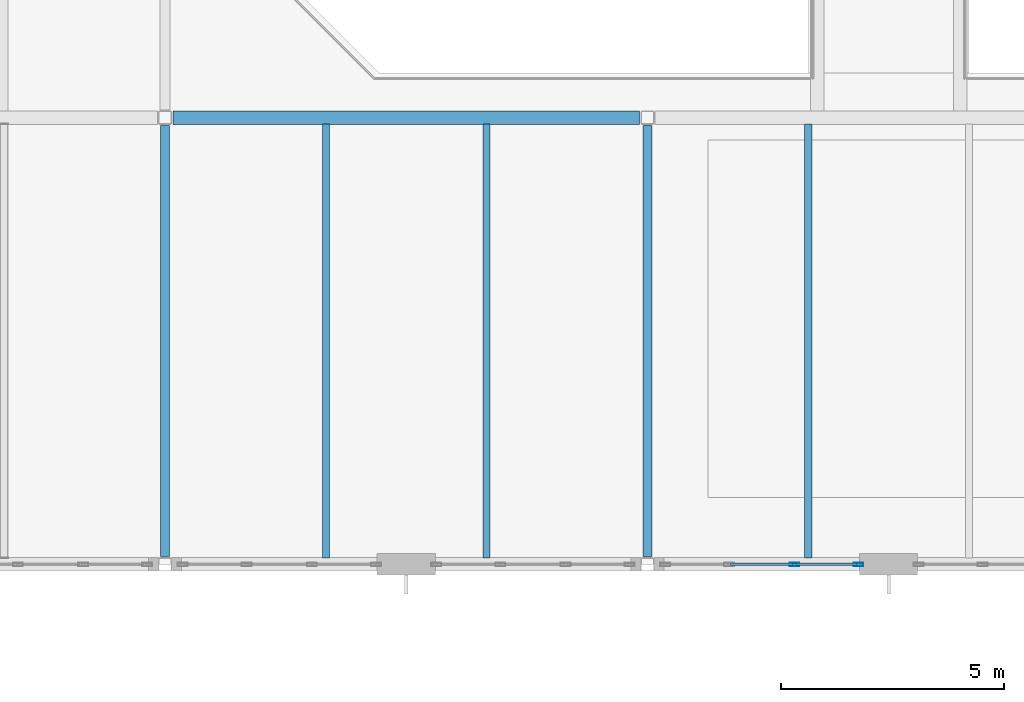
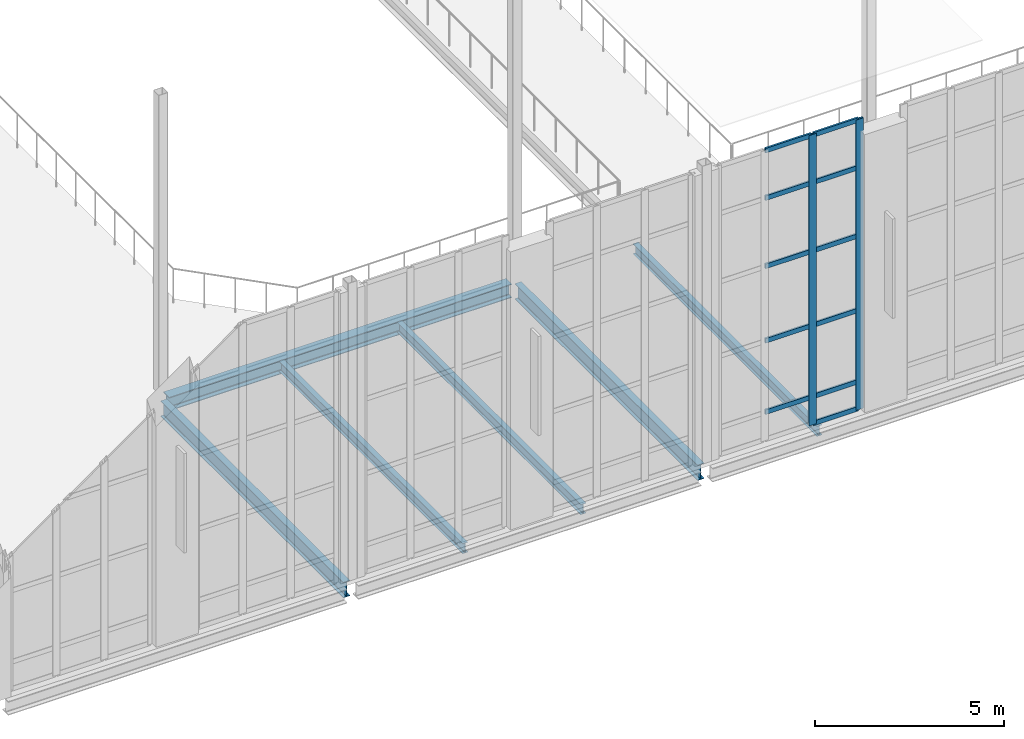
# One storey, part 29 of 100: 13 members, 6 beams, 1 element without a shape of its own.
"""IFC4 building model written with IfcOpenShell, lengths in metres."""

from ifc_helpers import new_model, si_unit, direction, frame, origin, origin_2d, place, context, subcontext, project, spatial, hollow_rectangle, i_section, extrude, material, layer, layer_set, material_profile, profile_set, type_object, element, aggregate, save


model = new_model("IFC4")

# Units and contexts
model_context = context("Model", 3, precision=1e-05, world=origin(), true_north=direction((0.0, 1.0)))
body_context = subcontext(model_context, "Body", "Model", "MODEL_VIEW")
ifc_project = project(units=[si_unit("LENGTHUNIT", "METRE"), si_unit("AREAUNIT", "SQUARE_METRE"), si_unit("VOLUMEUNIT", "CUBIC_METRE"), si_unit("PLANEANGLEUNIT", "RADIAN"), si_unit("MASSUNIT", "GRAM", prefix="KILO")], contexts=[model_context])

# Site, building, storey
site_placement = place(None, origin())
site = spatial("IfcSite", under=ifc_project, at=site_placement, CompositionType="ELEMENT")
building_placement = place(site_placement, origin())
building = spatial("IfcBuilding", under=site, at=building_placement, Name="Tasgan Crest Museum", CompositionType="ELEMENT")
storey_placement = place(building_placement, frame((0.0, 0.0, 14.39990234375)))
storey = spatial("IfcBuildingStorey", under=building, at=storey_placement, Name="L03", CompositionType="ELEMENT", Elevation=14.39990234375)

# Beams
ifc_material_1 = material(Name="Steel S355J2", Category="steel")
ifc_material_profile_1 = material_profile(ifc_material_1, i_section(OverallWidth=0.300048828125, OverallDepth=0.43994140625, WebThickness=0.011474609375, FlangeThickness=0.02099609375, FilletRadius=0.027099609375, at=origin_2d()), Name="HEA 450")
ifc_profile_set_1 = profile_set([ifc_material_profile_1], Name="Steel S355J2")
beam_type_1 = type_object("IfcBeamType", Name="BM-G-HEA450", PredefinedType="BEAM", material=ifc_profile_set_1)
beam_placement = place(storey_placement, frame((64.973876953125, 50.0, -0.4599609375), z_axis=(1.0, 0.0, 0.0), x_axis=(0.0, 1.0, 0.0)))
element("IfcBeam", 1, at=beam_placement, inside=storey, type_object=beam_type_1, Name="Girder L03 F 64.8-75.6", PredefinedType="BEAM", context=body_context, shape_type="SweptSolid", body=[
    extrude(i_section(OverallWidth=0.300048828125, OverallDepth=0.43994140625, WebThickness=0.011474609375, FlangeThickness=0.02099609375, FilletRadius=0.027099609375, at=origin_2d()), origin(), (0.0, 0.0, 1.0), 10.452392578125),
])
ifc_material_2 = material(Name="Steel S355J2", Category="steel")
ifc_material_profile_2 = material_profile(ifc_material_2, i_section(OverallWidth=0.199951171875, OverallDepth=0.5, WebThickness=0.01025390625, FlangeThickness=0.01611328125, FilletRadius=0.02099609375, at=origin_2d()), Name="IPE 500")
ifc_profile_set_2 = profile_set([ifc_material_profile_2], Name="Steel S355J2")
beam_type_2 = type_object("IfcBeamType", Name="BM-G-IPE500", PredefinedType="BEAM", material=ifc_profile_set_2)
for number, where, z_axis, x_axis, name in (
    (2, (64.800048828125, 40.1728515625, -0.489990234375), (0.0, 1.0, 0.0), (-1.0, 0.0, 0.0), "Beam L03 7 40.0-50.0"),
    (3, (75.60009765625, 40.1728515625, -0.489990234375), (0.0, 1.0, 0.0), (-1.0, 0.0, 0.0), "Beam L03 8 40.0-50.0"),
):
    element("IfcBeam", number, at=place(storey_placement, frame(where, z_axis=z_axis, x_axis=x_axis)), inside=storey, type_object=beam_type_2, Name=name, PredefinedType="BEAM", context=body_context, shape_type="SweptSolid", body=[
        extrude(i_section(OverallWidth=0.199951171875, OverallDepth=0.5, WebThickness=0.01025390625, FlangeThickness=0.01611328125, FilletRadius=0.02099609375, at=origin_2d()), origin(), (0.0, 0.0, 1.0), 9.654296875),
    ])
ifc_material_3 = material(Name="Steel S355J2", Category="steel")
ifc_material_profile_3 = material_profile(ifc_material_3, i_section(OverallWidth=0.159912109375, OverallDepth=0.330078125, WebThickness=0.007568359375, FlangeThickness=0.011474609375, FilletRadius=0.01806640625, at=origin_2d()), Name="IPE 330")
ifc_profile_set_3 = profile_set([ifc_material_profile_3], Name="Steel S355J2")
beam_type_3 = type_object("IfcBeamType", Name="BM-J-IPE330", PredefinedType="JOIST", material=ifc_profile_set_3)
for number, where, z_axis, x_axis, name in (
    (4, (68.39990234375, 40.14501953125, -0.40478515625), (0.0, 1.0, 0.0), (-1.0, 0.0, 0.0), "Secondary joist L03 X=68.4 Y=40.0-50.0"),
    (5, (72.0, 40.14501953125, -0.40478515625), (0.0, 1.0, 0.0), (-1.0, 0.0, 0.0), "Secondary joist L03 X=72.0 Y=40.0-50.0"),
    (6, (79.199951171875, 40.14501953125, -0.40478515625), (0.0, 1.0, 0.0), (-1.0, 0.0, 0.0), "Secondary joist L03 X=79.2 Y=40.0-50.0"),
):
    element("IfcBeam", number, at=place(storey_placement, frame(where, z_axis=z_axis, x_axis=x_axis)), inside=storey, type_object=beam_type_3, Name=name, PredefinedType="JOIST", context=body_context, shape_type="SweptSolid", body=[
        extrude(i_section(OverallWidth=0.159912109375, OverallDepth=0.330078125, WebThickness=0.007568359375, FlangeThickness=0.011474609375, FilletRadius=0.01806640625, at=origin_2d()), origin(), (0.0, 0.0, 1.0), 9.7099609375),
    ])

# Curtain wall, members
ifc_material_4 = material(Name="Triple-Glazed Aluminium Curtain Wall", Category="aluminium")
ifc_layer = layer(ifc_material_4, 0.179931640625, Name="CW-DRUM-X-96")
ifc_layer_set = layer_set([ifc_layer], Name="Triple-Glazed Aluminium Curtain Wall")
curtain_wall_type = type_object("IfcCurtainWallType", Name="CW-DRUM-X-96", PredefinedType="NOTDEFINED", material=ifc_layer_set)
curtain_wall_placement = place(storey_placement, origin())
curtain_wall = element("IfcCurtainWall", 7, at=curtain_wall_placement, inside=storey, type_object=curtain_wall_type, Name="Curtain wall L03 149", PredefinedType="NOTDEFINED")
ifc_material_5 = material(Name="Anodised Aluminium", Category="aluminium")
ifc_material_profile_4 = material_profile(ifc_material_5, hollow_rectangle(XDim=0.074951171875, YDim=0.219970703125, WallThickness=0.006103515625, at=origin_2d()), Name="ALU MULLION 220x75x6")
ifc_profile_set_4 = profile_set([ifc_material_profile_4], Name="Anodised Aluminium")
member_type_1 = type_object("IfcMemberType", Name="CW-MULLION-220", PredefinedType="MULLION", material=ifc_profile_set_4)
member_1_placement = place(storey_placement, frame((78.8916015625, 40.0, 0.0), z_axis=(0.0, 0.0, 1.0), x_axis=(0.0, 1.0, 0.0)))
member_1 = element("IfcMember", 8, at=member_1_placement, type_object=member_type_1, Name="CW06 mullion 3", PredefinedType="MULLION", context=body_context, shape_type="SweptSolid", body=[
    extrude(hollow_rectangle(XDim=0.074951171875, YDim=0.219970703125, WallThickness=0.006103515625, at=origin_2d()), origin(), (0.0, 0.0, 1.0), 9.360107421875),
])
member_2_placement = place(storey_placement, frame((80.324951171875, 40.0, 0.0), z_axis=(0.0, 0.0, 1.0), x_axis=(0.0, 1.0, 0.0)))
member_2 = element("IfcMember", 9, at=member_2_placement, type_object=member_type_1, Name="CW06 mullion 4", PredefinedType="MULLION", context=body_context, shape_type="SweptSolid", body=[
    extrude(hollow_rectangle(XDim=0.074951171875, YDim=0.219970703125, WallThickness=0.006103515625, at=origin_2d()), origin(), (0.0, 0.0, 1.0), 9.360107421875),
])
ifc_material_6 = material(Name="Anodised Aluminium", Category="aluminium")
ifc_material_profile_5 = material_profile(ifc_material_6, hollow_rectangle(XDim=0.06005859375, YDim=0.14990234375, WallThickness=0.0048828125, at=origin_2d()), Name="ALU TRANSOM 150x60x5")
ifc_profile_set_5 = profile_set([ifc_material_profile_5], Name="Anodised Aluminium")
member_type_2 = type_object("IfcMemberType", Name="CW-TRANSOM-150", PredefinedType="USERDEFINED", material=ifc_profile_set_5)
member_3_placement = place(storey_placement, frame((77.458251953125, 40.0, 0.900146484375), z_axis=(1.0, 0.0, 0.0), x_axis=(0.0, 1.0, 0.0)))
member_3 = element("IfcMember", 10, at=member_3_placement, type_object=member_type_2, Name="CW06 transom 2.2", ObjectType="TRANSOM", PredefinedType="USERDEFINED", context=body_context, shape_type="SweptSolid", body=[
    extrude(hollow_rectangle(XDim=0.06005859375, YDim=0.14990234375, WallThickness=0.0048828125, at=origin_2d()), origin(), (0.0, 0.0, 1.0), 1.4033203125),
])
member_4_placement = place(storey_placement, frame((77.458251953125, 40.0, 3.2001953125), z_axis=(1.0, 0.0, 0.0), x_axis=(0.0, 1.0, 0.0)))
member_4 = element("IfcMember", 11, at=member_4_placement, type_object=member_type_2, Name="CW06 transom 2.3", ObjectType="TRANSOM", PredefinedType="USERDEFINED", context=body_context, shape_type="SweptSolid", body=[
    extrude(hollow_rectangle(XDim=0.06005859375, YDim=0.14990234375, WallThickness=0.0048828125, at=origin_2d()), origin(), (0.0, 0.0, 1.0), 1.4033203125),
])
member_5_placement = place(storey_placement, frame((77.458251953125, 40.0, 5.60009765625), z_axis=(1.0, 0.0, 0.0), x_axis=(0.0, 1.0, 0.0)))
member_5 = element("IfcMember", 12, at=member_5_placement, type_object=member_type_2, Name="CW06 transom 2.4", ObjectType="TRANSOM", PredefinedType="USERDEFINED", context=body_context, shape_type="SweptSolid", body=[
    extrude(hollow_rectangle(XDim=0.06005859375, YDim=0.14990234375, WallThickness=0.0048828125, at=origin_2d()), origin(), (0.0, 0.0, 1.0), 1.4033203125),
])
member_6_placement = place(storey_placement, frame((77.458251953125, 40.0, 7.800048828125), z_axis=(1.0, 0.0, 0.0), x_axis=(0.0, 1.0, 0.0)))
member_6 = element("IfcMember", 13, at=member_6_placement, type_object=member_type_2, Name="CW06 transom 2.5", ObjectType="TRANSOM", PredefinedType="USERDEFINED", context=body_context, shape_type="SweptSolid", body=[
    extrude(hollow_rectangle(XDim=0.06005859375, YDim=0.14990234375, WallThickness=0.0048828125, at=origin_2d()), origin(), (0.0, 0.0, 1.0), 1.4033203125),
])
member_7_placement = place(storey_placement, frame((77.458251953125, 40.0, 9.330078125), z_axis=(1.0, 0.0, 0.0), x_axis=(0.0, 1.0, 0.0)))
member_7 = element("IfcMember", 14, at=member_7_placement, type_object=member_type_2, Name="CW06 transom 2.6", ObjectType="TRANSOM", PredefinedType="USERDEFINED", context=body_context, shape_type="SweptSolid", body=[
    extrude(hollow_rectangle(XDim=0.06005859375, YDim=0.14990234375, WallThickness=0.0048828125, at=origin_2d()), origin(), (0.0, 0.0, 1.0), 1.4033203125),
])
member_8_placement = place(storey_placement, frame((78.921630859375, 40.0, 0.030029296875), z_axis=(1.0, 0.0, 0.0), x_axis=(0.0, 1.0, 0.0)))
member_8 = element("IfcMember", 15, at=member_8_placement, type_object=member_type_2, Name="CW06 transom 3.1", ObjectType="TRANSOM", PredefinedType="USERDEFINED", context=body_context, shape_type="SweptSolid", body=[
    extrude(hollow_rectangle(XDim=0.06005859375, YDim=0.14990234375, WallThickness=0.0048828125, at=origin_2d()), origin(), (0.0, 0.0, 1.0), 1.373291015625),
])
member_9_placement = place(storey_placement, frame((78.921630859375, 40.0, 0.900146484375), z_axis=(1.0, 0.0, 0.0), x_axis=(0.0, 1.0, 0.0)))
member_9 = element("IfcMember", 16, at=member_9_placement, type_object=member_type_2, Name="CW06 transom 3.2", ObjectType="TRANSOM", PredefinedType="USERDEFINED", context=body_context, shape_type="SweptSolid", body=[
    extrude(hollow_rectangle(XDim=0.06005859375, YDim=0.14990234375, WallThickness=0.0048828125, at=origin_2d()), origin(), (0.0, 0.0, 1.0), 1.373291015625),
])
member_10_placement = place(storey_placement, frame((78.921630859375, 40.0, 3.2001953125), z_axis=(1.0, 0.0, 0.0), x_axis=(0.0, 1.0, 0.0)))
member_10 = element("IfcMember", 17, at=member_10_placement, type_object=member_type_2, Name="CW06 transom 3.3", ObjectType="TRANSOM", PredefinedType="USERDEFINED", context=body_context, shape_type="SweptSolid", body=[
    extrude(hollow_rectangle(XDim=0.06005859375, YDim=0.14990234375, WallThickness=0.0048828125, at=origin_2d()), origin(), (0.0, 0.0, 1.0), 1.373291015625),
])
member_11_placement = place(storey_placement, frame((78.921630859375, 40.0, 5.60009765625), z_axis=(1.0, 0.0, 0.0), x_axis=(0.0, 1.0, 0.0)))
member_11 = element("IfcMember", 18, at=member_11_placement, type_object=member_type_2, Name="CW06 transom 3.4", ObjectType="TRANSOM", PredefinedType="USERDEFINED", context=body_context, shape_type="SweptSolid", body=[
    extrude(hollow_rectangle(XDim=0.06005859375, YDim=0.14990234375, WallThickness=0.0048828125, at=origin_2d()), origin(), (0.0, 0.0, 1.0), 1.373291015625),
])
member_12_placement = place(storey_placement, frame((78.921630859375, 40.0, 7.800048828125), z_axis=(1.0, 0.0, 0.0), x_axis=(0.0, 1.0, 0.0)))
member_12 = element("IfcMember", 19, at=member_12_placement, type_object=member_type_2, Name="CW06 transom 3.5", ObjectType="TRANSOM", PredefinedType="USERDEFINED", context=body_context, shape_type="SweptSolid", body=[
    extrude(hollow_rectangle(XDim=0.06005859375, YDim=0.14990234375, WallThickness=0.0048828125, at=origin_2d()), origin(), (0.0, 0.0, 1.0), 1.373291015625),
])
member_13_placement = place(storey_placement, frame((78.921630859375, 40.0, 9.330078125), z_axis=(1.0, 0.0, 0.0), x_axis=(0.0, 1.0, 0.0)))
member_13 = element("IfcMember", 20, at=member_13_placement, type_object=member_type_2, Name="CW06 transom 3.6", ObjectType="TRANSOM", PredefinedType="USERDEFINED", context=body_context, shape_type="SweptSolid", body=[
    extrude(hollow_rectangle(XDim=0.06005859375, YDim=0.14990234375, WallThickness=0.0048828125, at=origin_2d()), origin(), (0.0, 0.0, 1.0), 1.373291015625),
])
aggregate(curtain_wall, [member_1, member_2, member_3, member_4, member_5, member_6, member_7, member_8, member_9, member_10, member_11, member_12, member_13])

save(model, "model.ifc")
